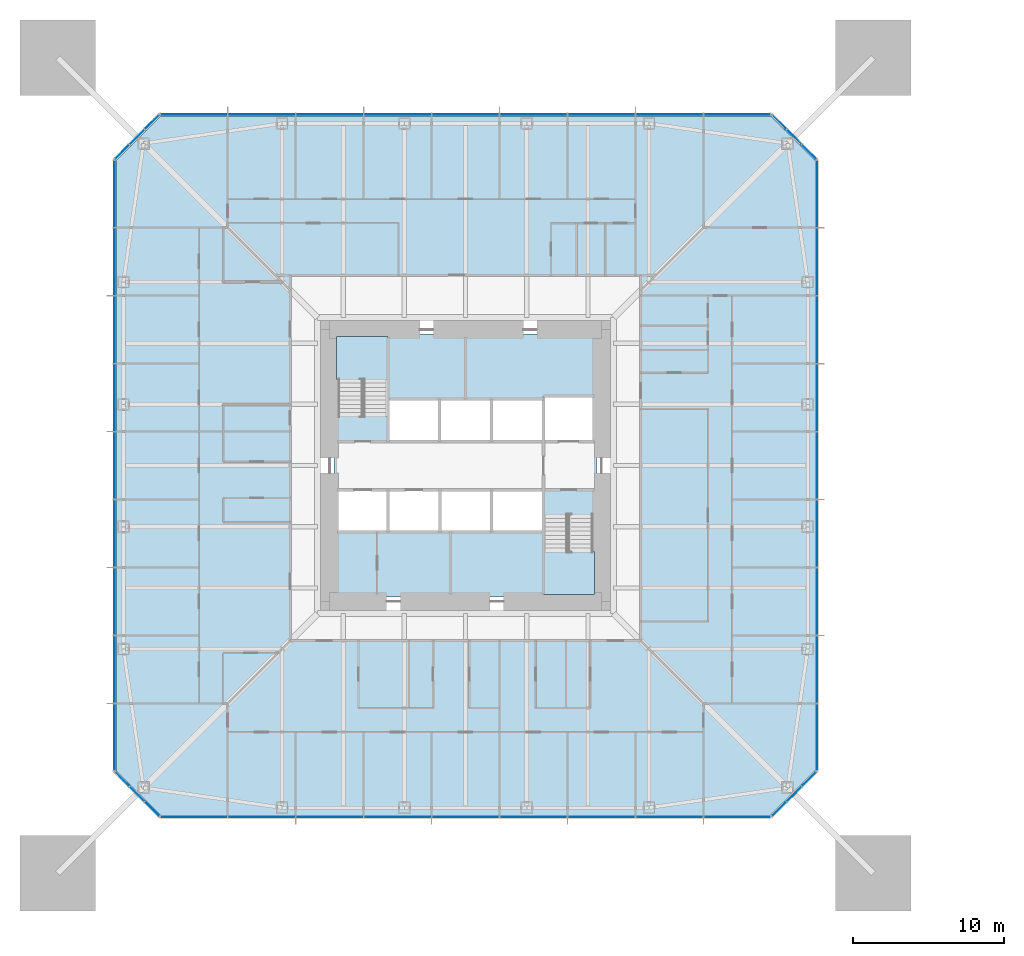
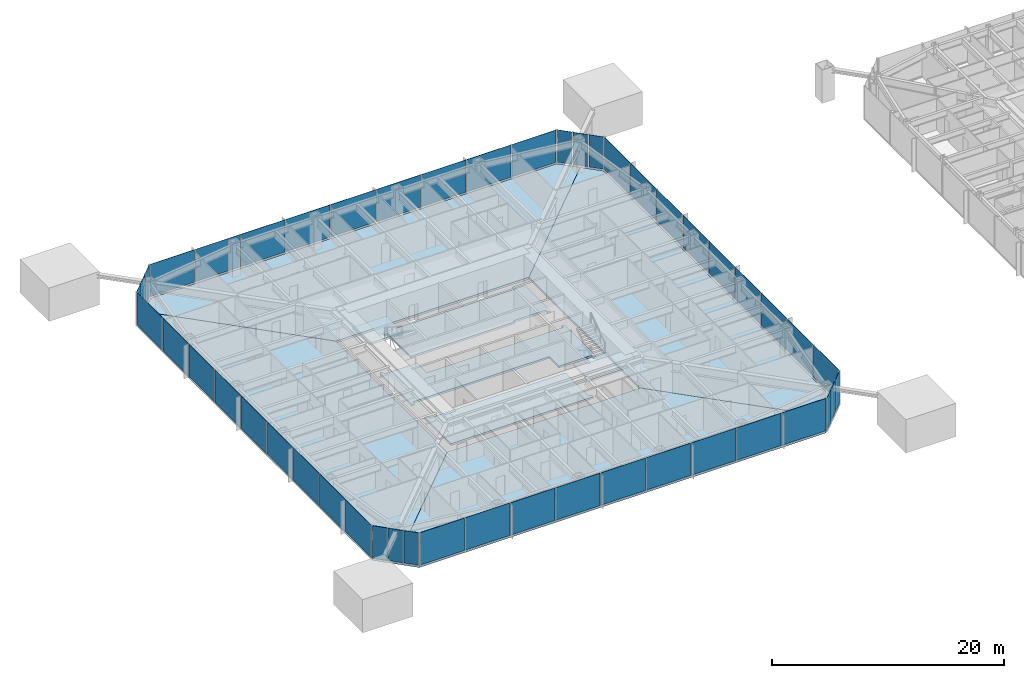
# One storey, part 12 of 26: 48 plates, 9 slabs, 10 elements without a shape of their own.
"""IFC4 building model written with IfcOpenShell, lengths in metres."""

from ifc_helpers import new_model, si_unit, direction, frame, origin, origin_2d, place, context, subcontext, project, spatial, polyline, rectangle, outline, extrude, material, layer, layer_set, constituent, constituent_set, type_object, element, aggregate, save


model = new_model("IFC4")

# Units and contexts
model_context = context("Model", 3, precision=1e-05, world=origin(), true_north=direction((0.0, 1.0)))
body_context = subcontext(model_context, "Body", "Model", "MODEL_VIEW")
ifc_project = project(units=[si_unit("LENGTHUNIT", "METRE"), si_unit("AREAUNIT", "SQUARE_METRE"), si_unit("VOLUMEUNIT", "CUBIC_METRE"), si_unit("PLANEANGLEUNIT", "RADIAN"), si_unit("MASSUNIT", "GRAM", prefix="KILO")], contexts=[model_context])

# Site, building, storey
site_placement = place(None, origin())
site = spatial("IfcSite", under=ifc_project, at=site_placement, CompositionType="ELEMENT")
building_placement = place(site_placement, origin())
building = spatial("IfcBuilding", under=site, at=building_placement, Name="Iwan Alto Co-Living Towers", CompositionType="ELEMENT")
storey_placement = place(building_placement, frame((0.0, 0.0, 57.0)))
storey = spatial("IfcBuildingStorey", under=building, at=storey_placement, Name="L15", CompositionType="ELEMENT", Elevation=57.0)

# Slabs
ifc_material_1 = material(Name="Concrete f'c 30 MPa", Category="concrete")
ifc_layer_1 = layer(ifc_material_1, 0.199951171875)
ifc_layer_set_1 = layer_set([ifc_layer_1], Name="CORE FLOOR SLAB 200")
slab_type_1 = type_object("IfcSlabType", Name="CORE FLOOR SLAB 200", PredefinedType="FLOOR", material=ifc_layer_set_1)
slab_1_placement = place(storey_placement, frame((0.0, 0.0, -0.199951171875)))
element("IfcSlab", 1, at=slab_1_placement, inside=storey, type_object=slab_type_1, Name="T1 core floor L15", PredefinedType="FLOOR", context=body_context, shape_type="SweptSolid", body=[
    extrude(outline(polyline([(8.699951171875, -3.580078125), (8.39990234375, -3.580078125), (8.39990234375, -3.27001953125), (5.14990234375, -3.27001953125), (5.14990234375, -1.60009765625), (1.72509765625, -1.60009765625), (-1.699951171875, -1.60009765625), (-5.125, -1.60009765625), (-8.39990234375, -1.60009765625), (-8.39990234375, -1.909912109375), (-8.699951171875, -1.909912109375), (-8.699951171875, 3.580078125), (-8.39990234375, 3.580078125), (-8.39990234375, 3.27001953125), (-5.14990234375, 3.27001953125), (-5.14990234375, 1.60009765625), (-1.717041015625, 1.60009765625), (1.717041015625, 1.60009765625), (5.14990234375, 1.60009765625), (8.39990234375, 1.60009765625), (8.39990234375, 1.909912109375), (8.699951171875, 1.909912109375), (8.699951171875, -3.580078125)])), origin(), (0.0, 0.0, 1.0), 0.199951171875),
])
slab_2_placement = place(storey_placement, frame((0.0, 0.0, -0.199951171875)))
element("IfcSlab", 2, at=slab_2_placement, inside=storey, type_object=slab_type_1, Name="T1 core floor L15", PredefinedType="FLOOR", context=body_context, shape_type="SweptSolid", body=[
    extrude(outline(polyline([(-1.699951171875, -4.39990234375), (1.72509765625, -4.39990234375), (5.14990234375, -4.39990234375), (5.14990234375, -8.39990234375), (5.4599609375, -8.39990234375), (5.4599609375, -8.699951171875), (-8.699951171875, -8.699951171875), (-8.699951171875, -4.090087890625), (-8.39990234375, -4.090087890625), (-8.39990234375, -4.39990234375), (-5.125, -4.39990234375), (-1.699951171875, -4.39990234375)])), origin(), (0.0, 0.0, 1.0), 0.199951171875),
])
slab_3_placement = place(storey_placement, frame((0.0, 0.0, -0.199951171875)))
element("IfcSlab", 3, at=slab_3_placement, inside=storey, type_object=slab_type_1, Name="T1 core floor L15", PredefinedType="FLOOR", context=body_context, shape_type="SweptSolid", body=[
    extrude(outline(polyline([(1.717041015625, 4.39990234375), (-1.717041015625, 4.39990234375), (-5.14990234375, 4.39990234375), (-5.14990234375, 8.39990234375), (-5.4599609375, 8.39990234375), (-5.4599609375, 8.699951171875), (8.699951171875, 8.699951171875), (8.699951171875, 4.2900390625), (8.39990234375, 4.2900390625), (8.39990234375, 4.60009765625), (5.14990234375, 4.60009765625), (5.14990234375, 4.39990234375), (1.717041015625, 4.39990234375)])), origin(), (0.0, 0.0, 1.0), 0.199951171875),
])

# Curtain wall, plates
ifc_material_2 = material(Name="Bronze aluminium unitised frame", Category="aluminium")
curtain_wall_type_1 = type_object("IfcCurtainWallType", Name="CURTAIN WALL CW-A", PredefinedType="NOTDEFINED", material=ifc_material_2)
curtain_wall_1_placement = place(storey_placement, origin())
curtain_wall_1 = element("IfcCurtainWall", 4, at=curtain_wall_1_placement, inside=storey, type_object=curtain_wall_type_1, Name="T1 curtain wall S L15", PredefinedType="NOTDEFINED")
ifc_material_3 = material(Name="Bronze-tinted insulating glass", Category="glass")
ifc_layer_2 = layer(ifc_material_3, 0.031982421875)
ifc_layer_set_2 = layer_set([ifc_layer_2], Name="CW-A PANEL TINTED IGU 32")
plate_type_1 = type_object("IfcPlateType", Name="CW-A PANEL TINTED IGU 32", PredefinedType="CURTAIN_PANEL", material=ifc_layer_set_2)
plate_1_placement = place(storey_placement, frame((-17.97998046875, -23.25, 0.10009765625), z_axis=(0.0, 0.0, 1.0), x_axis=(1.0, 0.0, 0.0)))
plate_1 = element("IfcPlate", 5, at=plate_1_placement, type_object=plate_type_1, Name="CW-A panel 1.1", PredefinedType="CURTAIN_PANEL", context=body_context, shape_type="SweptSolid", body=[
    extrude(rectangle(XDim=4.3798828125, YDim=0.031982421875, at=origin_2d()), origin(), (0.0, 0.0, 1.0), 3.39990234375),
])
plate_2_placement = place(storey_placement, frame((-13.5, -23.25, 0.10009765625), z_axis=(0.0, 0.0, 1.0), x_axis=(1.0, 0.0, 0.0)))
plate_2 = element("IfcPlate", 6, at=plate_2_placement, type_object=plate_type_1, Name="CW-A panel 2.1", PredefinedType="CURTAIN_PANEL", context=body_context, shape_type="SweptSolid", body=[
    extrude(rectangle(XDim=4.419921875, YDim=0.031982421875, at=origin_2d()), origin(), (0.0, 0.0, 1.0), 3.39990234375),
])
plate_3_placement = place(storey_placement, frame((-9.0, -23.25, 0.10009765625), z_axis=(0.0, 0.0, 1.0), x_axis=(1.0, 0.0, 0.0)))
plate_3 = element("IfcPlate", 7, at=plate_3_placement, type_object=plate_type_1, Name="CW-A panel 3.1", PredefinedType="CURTAIN_PANEL", context=body_context, shape_type="SweptSolid", body=[
    extrude(rectangle(XDim=4.419921875, YDim=0.031982421875, at=origin_2d()), origin(), (0.0, 0.0, 1.0), 3.39990234375),
])
plate_4_placement = place(storey_placement, frame((-4.5, -23.25, 0.10009765625), z_axis=(0.0, 0.0, 1.0), x_axis=(1.0, 0.0, 0.0)))
plate_4 = element("IfcPlate", 8, at=plate_4_placement, type_object=plate_type_1, Name="CW-A panel 4.1", PredefinedType="CURTAIN_PANEL", context=body_context, shape_type="SweptSolid", body=[
    extrude(rectangle(XDim=4.419921875, YDim=0.031982421875, at=origin_2d()), origin(), (0.0, 0.0, 1.0), 3.39990234375),
])
plate_5_placement = place(storey_placement, frame((0.0, -23.25, 0.10009765625), z_axis=(0.0, 0.0, 1.0), x_axis=(1.0, 0.0, 0.0)))
plate_5 = element("IfcPlate", 9, at=plate_5_placement, type_object=plate_type_1, Name="CW-A panel 5.1", PredefinedType="CURTAIN_PANEL", context=body_context, shape_type="SweptSolid", body=[
    extrude(rectangle(XDim=4.419921875, YDim=0.031982421875, at=origin_2d()), origin(), (0.0, 0.0, 1.0), 3.39990234375),
])
plate_6_placement = place(storey_placement, frame((4.5, -23.25, 0.10009765625), z_axis=(0.0, 0.0, 1.0), x_axis=(1.0, 0.0, 0.0)))
plate_6 = element("IfcPlate", 10, at=plate_6_placement, type_object=plate_type_1, Name="CW-A panel 6.1", PredefinedType="CURTAIN_PANEL", context=body_context, shape_type="SweptSolid", body=[
    extrude(rectangle(XDim=4.419921875, YDim=0.031982421875, at=origin_2d()), origin(), (0.0, 0.0, 1.0), 3.39990234375),
])
plate_7_placement = place(storey_placement, frame((9.0, -23.25, 0.10009765625), z_axis=(0.0, 0.0, 1.0), x_axis=(1.0, 0.0, 0.0)))
plate_7 = element("IfcPlate", 11, at=plate_7_placement, type_object=plate_type_1, Name="CW-A panel 7.1", PredefinedType="CURTAIN_PANEL", context=body_context, shape_type="SweptSolid", body=[
    extrude(rectangle(XDim=4.419921875, YDim=0.031982421875, at=origin_2d()), origin(), (0.0, 0.0, 1.0), 3.39990234375),
])
plate_8_placement = place(storey_placement, frame((13.5, -23.25, 0.10009765625), z_axis=(0.0, 0.0, 1.0), x_axis=(1.0, 0.0, 0.0)))
plate_8 = element("IfcPlate", 12, at=plate_8_placement, type_object=plate_type_1, Name="CW-A panel 8.1", PredefinedType="CURTAIN_PANEL", context=body_context, shape_type="SweptSolid", body=[
    extrude(rectangle(XDim=4.419921875, YDim=0.031982421875, at=origin_2d()), origin(), (0.0, 0.0, 1.0), 3.39990234375),
])
plate_9_placement = place(storey_placement, frame((17.97998046875, -23.25, 0.10009765625), z_axis=(0.0, 0.0, 1.0), x_axis=(1.0, 0.0, 0.0)))
plate_9 = element("IfcPlate", 13, at=plate_9_placement, type_object=plate_type_1, Name="CW-A panel 9.1", PredefinedType="CURTAIN_PANEL", context=body_context, shape_type="SweptSolid", body=[
    extrude(rectangle(XDim=4.3798828125, YDim=0.031982421875, at=origin_2d()), origin(), (0.0, 0.0, 1.0), 3.39990234375),
])
aggregate(curtain_wall_1, [plate_1, plate_2, plate_3, plate_4, plate_5, plate_6, plate_7, plate_8, plate_9])

curtain_wall_2_placement = place(storey_placement, origin())
curtain_wall_2 = element("IfcCurtainWall", 14, at=curtain_wall_2_placement, inside=storey, type_object=curtain_wall_type_1, Name="T1 curtain wall E L15", PredefinedType="NOTDEFINED")
plate_10_placement = place(storey_placement, frame((23.25, -17.97998046875, 0.10009765625), z_axis=(0.0, 0.0, 1.0), x_axis=(0.0, 1.0, 0.0)))
plate_10 = element("IfcPlate", 15, at=plate_10_placement, type_object=plate_type_1, Name="CW-A panel 1.1", PredefinedType="CURTAIN_PANEL", context=body_context, shape_type="SweptSolid", body=[
    extrude(rectangle(XDim=4.3798828125, YDim=0.031982421875, at=origin_2d()), origin(), (0.0, 0.0, 1.0), 3.39990234375),
])
plate_11_placement = place(storey_placement, frame((23.25, -13.5, 0.10009765625), z_axis=(0.0, 0.0, 1.0), x_axis=(0.0, 1.0, 0.0)))
plate_11 = element("IfcPlate", 16, at=plate_11_placement, type_object=plate_type_1, Name="CW-A panel 2.1", PredefinedType="CURTAIN_PANEL", context=body_context, shape_type="SweptSolid", body=[
    extrude(rectangle(XDim=4.419921875, YDim=0.031982421875, at=origin_2d()), origin(), (0.0, 0.0, 1.0), 3.39990234375),
])
plate_12_placement = place(storey_placement, frame((23.25, -9.0, 0.10009765625), z_axis=(0.0, 0.0, 1.0), x_axis=(0.0, 1.0, 0.0)))
plate_12 = element("IfcPlate", 17, at=plate_12_placement, type_object=plate_type_1, Name="CW-A panel 3.1", PredefinedType="CURTAIN_PANEL", context=body_context, shape_type="SweptSolid", body=[
    extrude(rectangle(XDim=4.419921875, YDim=0.031982421875, at=origin_2d()), origin(), (0.0, 0.0, 1.0), 3.39990234375),
])
plate_13_placement = place(storey_placement, frame((23.25, -4.5, 0.10009765625), z_axis=(0.0, 0.0, 1.0), x_axis=(0.0, 1.0, 0.0)))
plate_13 = element("IfcPlate", 18, at=plate_13_placement, type_object=plate_type_1, Name="CW-A panel 4.1", PredefinedType="CURTAIN_PANEL", context=body_context, shape_type="SweptSolid", body=[
    extrude(rectangle(XDim=4.419921875, YDim=0.031982421875, at=origin_2d()), origin(), (0.0, 0.0, 1.0), 3.39990234375),
])
plate_14_placement = place(storey_placement, frame((23.25, 0.0, 0.10009765625), z_axis=(0.0, 0.0, 1.0), x_axis=(0.0, 1.0, 0.0)))
plate_14 = element("IfcPlate", 19, at=plate_14_placement, type_object=plate_type_1, Name="CW-A panel 5.1", PredefinedType="CURTAIN_PANEL", context=body_context, shape_type="SweptSolid", body=[
    extrude(rectangle(XDim=4.419921875, YDim=0.031982421875, at=origin_2d()), origin(), (0.0, 0.0, 1.0), 3.39990234375),
])
plate_15_placement = place(storey_placement, frame((23.25, 4.5, 0.10009765625), z_axis=(0.0, 0.0, 1.0), x_axis=(0.0, 1.0, 0.0)))
plate_15 = element("IfcPlate", 20, at=plate_15_placement, type_object=plate_type_1, Name="CW-A panel 6.1", PredefinedType="CURTAIN_PANEL", context=body_context, shape_type="SweptSolid", body=[
    extrude(rectangle(XDim=4.419921875, YDim=0.031982421875, at=origin_2d()), origin(), (0.0, 0.0, 1.0), 3.39990234375),
])
plate_16_placement = place(storey_placement, frame((23.25, 9.0, 0.10009765625), z_axis=(0.0, 0.0, 1.0), x_axis=(0.0, 1.0, 0.0)))
plate_16 = element("IfcPlate", 21, at=plate_16_placement, type_object=plate_type_1, Name="CW-A panel 7.1", PredefinedType="CURTAIN_PANEL", context=body_context, shape_type="SweptSolid", body=[
    extrude(rectangle(XDim=4.419921875, YDim=0.031982421875, at=origin_2d()), origin(), (0.0, 0.0, 1.0), 3.39990234375),
])
plate_17_placement = place(storey_placement, frame((23.25, 13.5, 0.10009765625), z_axis=(0.0, 0.0, 1.0), x_axis=(0.0, 1.0, 0.0)))
plate_17 = element("IfcPlate", 22, at=plate_17_placement, type_object=plate_type_1, Name="CW-A panel 8.1", PredefinedType="CURTAIN_PANEL", context=body_context, shape_type="SweptSolid", body=[
    extrude(rectangle(XDim=4.419921875, YDim=0.031982421875, at=origin_2d()), origin(), (0.0, 0.0, 1.0), 3.39990234375),
])
plate_18_placement = place(storey_placement, frame((23.25, 17.97998046875, 0.10009765625), z_axis=(0.0, 0.0, 1.0), x_axis=(0.0, 1.0, 0.0)))
plate_18 = element("IfcPlate", 23, at=plate_18_placement, type_object=plate_type_1, Name="CW-A panel 9.1", PredefinedType="CURTAIN_PANEL", context=body_context, shape_type="SweptSolid", body=[
    extrude(rectangle(XDim=4.3798828125, YDim=0.031982421875, at=origin_2d()), origin(), (0.0, 0.0, 1.0), 3.39990234375),
])
aggregate(curtain_wall_2, [plate_10, plate_11, plate_12, plate_13, plate_14, plate_15, plate_16, plate_17, plate_18])

curtain_wall_3_placement = place(storey_placement, origin())
curtain_wall_3 = element("IfcCurtainWall", 24, at=curtain_wall_3_placement, inside=storey, type_object=curtain_wall_type_1, Name="T1 curtain wall N L15", PredefinedType="NOTDEFINED")
plate_19_placement = place(storey_placement, frame((17.97998046875, 23.25, 0.10009765625), z_axis=(0.0, 0.0, 1.0), x_axis=(-1.0, 0.0, 0.0)))
plate_19 = element("IfcPlate", 25, at=plate_19_placement, type_object=plate_type_1, Name="CW-A panel 1.1", PredefinedType="CURTAIN_PANEL", context=body_context, shape_type="SweptSolid", body=[
    extrude(rectangle(XDim=4.3798828125, YDim=0.031982421875, at=origin_2d()), origin(), (0.0, 0.0, 1.0), 3.39990234375),
])
plate_20_placement = place(storey_placement, frame((13.5, 23.25, 0.10009765625), z_axis=(0.0, 0.0, 1.0), x_axis=(-1.0, 0.0, 0.0)))
plate_20 = element("IfcPlate", 26, at=plate_20_placement, type_object=plate_type_1, Name="CW-A panel 2.1", PredefinedType="CURTAIN_PANEL", context=body_context, shape_type="SweptSolid", body=[
    extrude(rectangle(XDim=4.419921875, YDim=0.031982421875, at=origin_2d()), origin(), (0.0, 0.0, 1.0), 3.39990234375),
])
plate_21_placement = place(storey_placement, frame((9.0, 23.25, 0.10009765625), z_axis=(0.0, 0.0, 1.0), x_axis=(-1.0, 0.0, 0.0)))
plate_21 = element("IfcPlate", 27, at=plate_21_placement, type_object=plate_type_1, Name="CW-A panel 3.1", PredefinedType="CURTAIN_PANEL", context=body_context, shape_type="SweptSolid", body=[
    extrude(rectangle(XDim=4.419921875, YDim=0.031982421875, at=origin_2d()), origin(), (0.0, 0.0, 1.0), 3.39990234375),
])
plate_22_placement = place(storey_placement, frame((4.5, 23.25, 0.10009765625), z_axis=(0.0, 0.0, 1.0), x_axis=(-1.0, 0.0, 0.0)))
plate_22 = element("IfcPlate", 28, at=plate_22_placement, type_object=plate_type_1, Name="CW-A panel 4.1", PredefinedType="CURTAIN_PANEL", context=body_context, shape_type="SweptSolid", body=[
    extrude(rectangle(XDim=4.419921875, YDim=0.031982421875, at=origin_2d()), origin(), (0.0, 0.0, 1.0), 3.39990234375),
])
plate_23_placement = place(storey_placement, frame((0.0, 23.25, 0.10009765625), z_axis=(0.0, 0.0, 1.0), x_axis=(-1.0, 0.0, 0.0)))
plate_23 = element("IfcPlate", 29, at=plate_23_placement, type_object=plate_type_1, Name="CW-A panel 5.1", PredefinedType="CURTAIN_PANEL", context=body_context, shape_type="SweptSolid", body=[
    extrude(rectangle(XDim=4.419921875, YDim=0.031982421875, at=origin_2d()), origin(), (0.0, 0.0, 1.0), 3.39990234375),
])
plate_24_placement = place(storey_placement, frame((-4.5, 23.25, 0.10009765625), z_axis=(0.0, 0.0, 1.0), x_axis=(-1.0, 0.0, 0.0)))
plate_24 = element("IfcPlate", 30, at=plate_24_placement, type_object=plate_type_1, Name="CW-A panel 6.1", PredefinedType="CURTAIN_PANEL", context=body_context, shape_type="SweptSolid", body=[
    extrude(rectangle(XDim=4.419921875, YDim=0.031982421875, at=origin_2d()), origin(), (0.0, 0.0, 1.0), 3.39990234375),
])
plate_25_placement = place(storey_placement, frame((-9.0, 23.25, 0.10009765625), z_axis=(0.0, 0.0, 1.0), x_axis=(-1.0, 0.0, 0.0)))
plate_25 = element("IfcPlate", 31, at=plate_25_placement, type_object=plate_type_1, Name="CW-A panel 7.1", PredefinedType="CURTAIN_PANEL", context=body_context, shape_type="SweptSolid", body=[
    extrude(rectangle(XDim=4.419921875, YDim=0.031982421875, at=origin_2d()), origin(), (0.0, 0.0, 1.0), 3.39990234375),
])
plate_26_placement = place(storey_placement, frame((-13.5, 23.25, 0.10009765625), z_axis=(0.0, 0.0, 1.0), x_axis=(-1.0, 0.0, 0.0)))
plate_26 = element("IfcPlate", 32, at=plate_26_placement, type_object=plate_type_1, Name="CW-A panel 8.1", PredefinedType="CURTAIN_PANEL", context=body_context, shape_type="SweptSolid", body=[
    extrude(rectangle(XDim=4.419921875, YDim=0.031982421875, at=origin_2d()), origin(), (0.0, 0.0, 1.0), 3.39990234375),
])
plate_27_placement = place(storey_placement, frame((-17.97998046875, 23.25, 0.10009765625), z_axis=(0.0, 0.0, 1.0), x_axis=(-1.0, 0.0, 0.0)))
plate_27 = element("IfcPlate", 33, at=plate_27_placement, type_object=plate_type_1, Name="CW-A panel 9.1", PredefinedType="CURTAIN_PANEL", context=body_context, shape_type="SweptSolid", body=[
    extrude(rectangle(XDim=4.3798828125, YDim=0.031982421875, at=origin_2d()), origin(), (0.0, 0.0, 1.0), 3.39990234375),
])
aggregate(curtain_wall_3, [plate_19, plate_20, plate_21, plate_22, plate_23, plate_24, plate_25, plate_26, plate_27])

curtain_wall_4_placement = place(storey_placement, origin())
curtain_wall_4 = element("IfcCurtainWall", 34, at=curtain_wall_4_placement, inside=storey, type_object=curtain_wall_type_1, Name="T1 curtain wall W L15", PredefinedType="NOTDEFINED")
plate_28_placement = place(storey_placement, frame((-23.25, 17.97998046875, 0.10009765625), z_axis=(0.0, 0.0, 1.0), x_axis=(0.0, -1.0, 0.0)))
plate_28 = element("IfcPlate", 35, at=plate_28_placement, type_object=plate_type_1, Name="CW-A panel 1.1", PredefinedType="CURTAIN_PANEL", context=body_context, shape_type="SweptSolid", body=[
    extrude(rectangle(XDim=4.3798828125, YDim=0.031982421875, at=origin_2d()), origin(), (0.0, 0.0, 1.0), 3.39990234375),
])
plate_29_placement = place(storey_placement, frame((-23.25, 13.5, 0.10009765625), z_axis=(0.0, 0.0, 1.0), x_axis=(0.0, -1.0, 0.0)))
plate_29 = element("IfcPlate", 36, at=plate_29_placement, type_object=plate_type_1, Name="CW-A panel 2.1", PredefinedType="CURTAIN_PANEL", context=body_context, shape_type="SweptSolid", body=[
    extrude(rectangle(XDim=4.419921875, YDim=0.031982421875, at=origin_2d()), origin(), (0.0, 0.0, 1.0), 3.39990234375),
])
plate_30_placement = place(storey_placement, frame((-23.25, 9.0, 0.10009765625), z_axis=(0.0, 0.0, 1.0), x_axis=(0.0, -1.0, 0.0)))
plate_30 = element("IfcPlate", 37, at=plate_30_placement, type_object=plate_type_1, Name="CW-A panel 3.1", PredefinedType="CURTAIN_PANEL", context=body_context, shape_type="SweptSolid", body=[
    extrude(rectangle(XDim=4.419921875, YDim=0.031982421875, at=origin_2d()), origin(), (0.0, 0.0, 1.0), 3.39990234375),
])
plate_31_placement = place(storey_placement, frame((-23.25, 4.5, 0.10009765625), z_axis=(0.0, 0.0, 1.0), x_axis=(0.0, -1.0, 0.0)))
plate_31 = element("IfcPlate", 38, at=plate_31_placement, type_object=plate_type_1, Name="CW-A panel 4.1", PredefinedType="CURTAIN_PANEL", context=body_context, shape_type="SweptSolid", body=[
    extrude(rectangle(XDim=4.419921875, YDim=0.031982421875, at=origin_2d()), origin(), (0.0, 0.0, 1.0), 3.39990234375),
])
plate_32_placement = place(storey_placement, frame((-23.25, 0.0, 0.10009765625), z_axis=(0.0, 0.0, 1.0), x_axis=(0.0, -1.0, 0.0)))
plate_32 = element("IfcPlate", 39, at=plate_32_placement, type_object=plate_type_1, Name="CW-A panel 5.1", PredefinedType="CURTAIN_PANEL", context=body_context, shape_type="SweptSolid", body=[
    extrude(rectangle(XDim=4.419921875, YDim=0.031982421875, at=origin_2d()), origin(), (0.0, 0.0, 1.0), 3.39990234375),
])
plate_33_placement = place(storey_placement, frame((-23.25, -4.5, 0.10009765625), z_axis=(0.0, 0.0, 1.0), x_axis=(0.0, -1.0, 0.0)))
plate_33 = element("IfcPlate", 40, at=plate_33_placement, type_object=plate_type_1, Name="CW-A panel 6.1", PredefinedType="CURTAIN_PANEL", context=body_context, shape_type="SweptSolid", body=[
    extrude(rectangle(XDim=4.419921875, YDim=0.031982421875, at=origin_2d()), origin(), (0.0, 0.0, 1.0), 3.39990234375),
])
plate_34_placement = place(storey_placement, frame((-23.25, -9.0, 0.10009765625), z_axis=(0.0, 0.0, 1.0), x_axis=(0.0, -1.0, 0.0)))
plate_34 = element("IfcPlate", 41, at=plate_34_placement, type_object=plate_type_1, Name="CW-A panel 7.1", PredefinedType="CURTAIN_PANEL", context=body_context, shape_type="SweptSolid", body=[
    extrude(rectangle(XDim=4.419921875, YDim=0.031982421875, at=origin_2d()), origin(), (0.0, 0.0, 1.0), 3.39990234375),
])
plate_35_placement = place(storey_placement, frame((-23.25, -13.5, 0.10009765625), z_axis=(0.0, 0.0, 1.0), x_axis=(0.0, -1.0, 0.0)))
plate_35 = element("IfcPlate", 42, at=plate_35_placement, type_object=plate_type_1, Name="CW-A panel 8.1", PredefinedType="CURTAIN_PANEL", context=body_context, shape_type="SweptSolid", body=[
    extrude(rectangle(XDim=4.419921875, YDim=0.031982421875, at=origin_2d()), origin(), (0.0, 0.0, 1.0), 3.39990234375),
])
plate_36_placement = place(storey_placement, frame((-23.25, -17.97998046875, 0.10009765625), z_axis=(0.0, 0.0, 1.0), x_axis=(0.0, -1.0, 0.0)))
plate_36 = element("IfcPlate", 43, at=plate_36_placement, type_object=plate_type_1, Name="CW-A panel 9.1", PredefinedType="CURTAIN_PANEL", context=body_context, shape_type="SweptSolid", body=[
    extrude(rectangle(XDim=4.3798828125, YDim=0.031982421875, at=origin_2d()), origin(), (0.0, 0.0, 1.0), 3.39990234375),
])
aggregate(curtain_wall_4, [plate_28, plate_29, plate_30, plate_31, plate_32, plate_33, plate_34, plate_35, plate_36])

ifc_material_4 = material(Name="Bronze aluminium unitised frame", Category="aluminium")
curtain_wall_type_2 = type_object("IfcCurtainWallType", Name="CURTAIN WALL CW-B", PredefinedType="NOTDEFINED", material=ifc_material_4)
curtain_wall_5_placement = place(storey_placement, origin())
curtain_wall_5 = element("IfcCurtainWall", 44, at=curtain_wall_5_placement, inside=storey, type_object=curtain_wall_type_2, Name="T1 chamfer curtain wall SE L15", PredefinedType="NOTDEFINED")
ifc_material_5 = material(Name="Bronze-tinted insulating glass", Category="glass")
ifc_layer_3 = layer(ifc_material_5, 0.031982421875)
ifc_layer_set_3 = layer_set([ifc_layer_3], Name="CW-B PANEL TINTED IGU 32")
plate_type_2 = type_object("IfcPlateType", Name="CW-B PANEL TINTED IGU 32", PredefinedType="CURTAIN_PANEL", material=ifc_layer_set_3)
plate_37_placement = place(storey_placement, frame((20.76416015625, -22.73583984375, 0.10009765625), z_axis=(0.0, 0.0, 1.0), x_axis=(0.707106781187, 0.707106781187, 0.0)))
plate_37 = element("IfcPlate", 45, at=plate_37_placement, type_object=plate_type_2, Name="CW-B panel 1.1", PredefinedType="CURTAIN_PANEL", context=body_context, shape_type="SweptSolid", body=[
    extrude(rectangle(XDim=1.294189453125, YDim=0.031982421875, at=origin_2d()), origin(), (0.0, 0.0, 1.0), 3.39990234375),
])
plate_38_placement = place(storey_placement, frame((21.75, -21.75, 0.10009765625), z_axis=(0.0, 0.0, 1.0), x_axis=(0.707106781187, 0.707106781187, 0.0)))
plate_38 = element("IfcPlate", 46, at=plate_38_placement, type_object=plate_type_2, Name="CW-B panel 2.1", PredefinedType="CURTAIN_PANEL", context=body_context, shape_type="SweptSolid", body=[
    extrude(rectangle(XDim=1.334228515625, YDim=0.031982421875, at=origin_2d()), origin(), (0.0, 0.0, 1.0), 3.39990234375),
])
plate_39_placement = place(storey_placement, frame((22.73583984375, -20.76416015625, 0.10009765625), z_axis=(0.0, 0.0, 1.0), x_axis=(0.707106781187, 0.707106781187, 0.0)))
plate_39 = element("IfcPlate", 47, at=plate_39_placement, type_object=plate_type_2, Name="CW-B panel 3.1", PredefinedType="CURTAIN_PANEL", context=body_context, shape_type="SweptSolid", body=[
    extrude(rectangle(XDim=1.294189453125, YDim=0.031982421875, at=origin_2d()), origin(), (0.0, 0.0, 1.0), 3.39990234375),
])
aggregate(curtain_wall_5, [plate_37, plate_38, plate_39])

curtain_wall_6_placement = place(storey_placement, origin())
curtain_wall_6 = element("IfcCurtainWall", 48, at=curtain_wall_6_placement, inside=storey, type_object=curtain_wall_type_2, Name="T1 chamfer curtain wall NE L15", PredefinedType="NOTDEFINED")
plate_40_placement = place(storey_placement, frame((22.73583984375, 20.76416015625, 0.10009765625), z_axis=(0.0, 0.0, 1.0), x_axis=(-0.707106781187, 0.707106781187, 0.0)))
plate_40 = element("IfcPlate", 49, at=plate_40_placement, type_object=plate_type_2, Name="CW-B panel 1.1", PredefinedType="CURTAIN_PANEL", context=body_context, shape_type="SweptSolid", body=[
    extrude(rectangle(XDim=1.294189453125, YDim=0.031982421875, at=origin_2d()), origin(), (0.0, 0.0, 1.0), 3.39990234375),
])
plate_41_placement = place(storey_placement, frame((21.75, 21.75, 0.10009765625), z_axis=(0.0, 0.0, 1.0), x_axis=(-0.707106781187, 0.707106781187, 0.0)))
plate_41 = element("IfcPlate", 50, at=plate_41_placement, type_object=plate_type_2, Name="CW-B panel 2.1", PredefinedType="CURTAIN_PANEL", context=body_context, shape_type="SweptSolid", body=[
    extrude(rectangle(XDim=1.334228515625, YDim=0.031982421875, at=origin_2d()), origin(), (0.0, 0.0, 1.0), 3.39990234375),
])
plate_42_placement = place(storey_placement, frame((20.76416015625, 22.73583984375, 0.10009765625), z_axis=(0.0, 0.0, 1.0), x_axis=(-0.707106781187, 0.707106781187, 0.0)))
plate_42 = element("IfcPlate", 51, at=plate_42_placement, type_object=plate_type_2, Name="CW-B panel 3.1", PredefinedType="CURTAIN_PANEL", context=body_context, shape_type="SweptSolid", body=[
    extrude(rectangle(XDim=1.294189453125, YDim=0.031982421875, at=origin_2d()), origin(), (0.0, 0.0, 1.0), 3.39990234375),
])
aggregate(curtain_wall_6, [plate_40, plate_41, plate_42])

curtain_wall_7_placement = place(storey_placement, origin())
curtain_wall_7 = element("IfcCurtainWall", 52, at=curtain_wall_7_placement, inside=storey, type_object=curtain_wall_type_2, Name="T1 chamfer curtain wall NW L15", PredefinedType="NOTDEFINED")
plate_43_placement = place(storey_placement, frame((-20.76416015625, 22.73583984375, 0.10009765625), z_axis=(0.0, 0.0, 1.0), x_axis=(-0.707106781187, -0.707106781187, 0.0)))
plate_43 = element("IfcPlate", 53, at=plate_43_placement, type_object=plate_type_2, Name="CW-B panel 1.1", PredefinedType="CURTAIN_PANEL", context=body_context, shape_type="SweptSolid", body=[
    extrude(rectangle(XDim=1.294189453125, YDim=0.031982421875, at=origin_2d()), origin(), (0.0, 0.0, 1.0), 3.39990234375),
])
plate_44_placement = place(storey_placement, frame((-21.75, 21.75, 0.10009765625), z_axis=(0.0, 0.0, 1.0), x_axis=(-0.707106781187, -0.707106781187, 0.0)))
plate_44 = element("IfcPlate", 54, at=plate_44_placement, type_object=plate_type_2, Name="CW-B panel 2.1", PredefinedType="CURTAIN_PANEL", context=body_context, shape_type="SweptSolid", body=[
    extrude(rectangle(XDim=1.334228515625, YDim=0.031982421875, at=origin_2d()), origin(), (0.0, 0.0, 1.0), 3.39990234375),
])
plate_45_placement = place(storey_placement, frame((-22.73583984375, 20.76416015625, 0.10009765625), z_axis=(0.0, 0.0, 1.0), x_axis=(-0.707106781187, -0.707106781187, 0.0)))
plate_45 = element("IfcPlate", 55, at=plate_45_placement, type_object=plate_type_2, Name="CW-B panel 3.1", PredefinedType="CURTAIN_PANEL", context=body_context, shape_type="SweptSolid", body=[
    extrude(rectangle(XDim=1.294189453125, YDim=0.031982421875, at=origin_2d()), origin(), (0.0, 0.0, 1.0), 3.39990234375),
])
aggregate(curtain_wall_7, [plate_43, plate_44, plate_45])

curtain_wall_8_placement = place(storey_placement, origin())
curtain_wall_8 = element("IfcCurtainWall", 56, at=curtain_wall_8_placement, inside=storey, type_object=curtain_wall_type_2, Name="T1 chamfer curtain wall SW L15", PredefinedType="NOTDEFINED")
plate_46_placement = place(storey_placement, frame((-22.73583984375, -20.76416015625, 0.10009765625), z_axis=(0.0, 0.0, 1.0), x_axis=(0.707106781187, -0.707106781187, 0.0)))
plate_46 = element("IfcPlate", 57, at=plate_46_placement, type_object=plate_type_2, Name="CW-B panel 1.1", PredefinedType="CURTAIN_PANEL", context=body_context, shape_type="SweptSolid", body=[
    extrude(rectangle(XDim=1.294189453125, YDim=0.031982421875, at=origin_2d()), origin(), (0.0, 0.0, 1.0), 3.39990234375),
])
plate_47_placement = place(storey_placement, frame((-21.75, -21.75, 0.10009765625), z_axis=(0.0, 0.0, 1.0), x_axis=(0.707106781187, -0.707106781187, 0.0)))
plate_47 = element("IfcPlate", 58, at=plate_47_placement, type_object=plate_type_2, Name="CW-B panel 2.1", PredefinedType="CURTAIN_PANEL", context=body_context, shape_type="SweptSolid", body=[
    extrude(rectangle(XDim=1.334228515625, YDim=0.031982421875, at=origin_2d()), origin(), (0.0, 0.0, 1.0), 3.39990234375),
])
plate_48_placement = place(storey_placement, frame((-20.76416015625, -22.73583984375, 0.10009765625), z_axis=(0.0, 0.0, 1.0), x_axis=(0.707106781187, -0.707106781187, 0.0)))
plate_48 = element("IfcPlate", 59, at=plate_48_placement, type_object=plate_type_2, Name="CW-B panel 3.1", PredefinedType="CURTAIN_PANEL", context=body_context, shape_type="SweptSolid", body=[
    extrude(rectangle(XDim=1.294189453125, YDim=0.031982421875, at=origin_2d()), origin(), (0.0, 0.0, 1.0), 3.39990234375),
])
aggregate(curtain_wall_8, [plate_46, plate_47, plate_48])

# Stair, slab
ifc_material_6 = material(Name="Steel ASTM A36", Category="steel")
ifc_constituent_1 = constituent(ifc_material_6, Name="Stringers", Category="LoadBearing")
ifc_material_7 = material(Name="Concrete f'c 30 MPa", Category="concrete")
ifc_constituent_2 = constituent(ifc_material_7, Name="Tread fill", Category="Finish")
ifc_constituent_set = constituent_set(constituents=[ifc_constituent_1, ifc_constituent_2], Name="STAIR 3500 TWO-FLIGHT T1 CORE")
stair_type = type_object("IfcStairType", Name="STAIR 3500 TWO-FLIGHT T1 CORE", PredefinedType="HALF_TURN_STAIR", material=ifc_constituent_set)
stair_1_placement = place(storey_placement, origin())
stair_1 = element("IfcStair", 60, at=stair_1_placement, inside=storey, type_object=stair_type, Name="Stair T1-S1 L15 to L16", PredefinedType="HALF_TURN_STAIR")
ifc_material_8 = material(Name="Concrete f'c 30 MPa", Category="concrete")
ifc_layer_4 = layer(ifc_material_8, 0.199951171875)
ifc_layer_set_4 = layer_set([ifc_layer_4], Name="STAIR LANDING 200")
slab_type_2 = type_object("IfcSlabType", Name="STAIR LANDING 200", PredefinedType="LANDING", material=ifc_layer_set_4)
slab_4_placement = place(storey_placement, frame((0.0, 0.0, 1.550048828125)))
slab_4 = element("IfcSlab", 61, at=slab_4_placement, type_object=slab_type_2, Name="T1-S1 landing 1", PredefinedType="LANDING", context=body_context, shape_type="SweptSolid", body=[
    extrude(outline(polyline([(-8.550048828125, 5.68994140625), (-8.550048828125, 8.550048828125), (-5.14990234375, 8.550048828125), (-5.14990234375, 5.68994140625), (-8.550048828125, 5.68994140625)])), origin(), (0.0, 0.0, 1.0), 0.199951171875),
])
aggregate(stair_1, [slab_4])

stair_2_placement = place(storey_placement, origin())
stair_2 = element("IfcStair", 62, at=stair_2_placement, inside=storey, type_object=stair_type, Name="Stair T1-S2 L15 to L16", PredefinedType="HALF_TURN_STAIR")
slab_5_placement = place(storey_placement, frame((0.0, 0.0, 1.550048828125)))
slab_5 = element("IfcSlab", 63, at=slab_5_placement, type_object=slab_type_2, Name="T1-S2 landing 1", PredefinedType="LANDING", context=body_context, shape_type="SweptSolid", body=[
    extrude(outline(polyline([(5.14990234375, -5.68994140625), (5.14990234375, -8.550048828125), (8.550048828125, -8.550048828125), (8.550048828125, -5.68994140625), (5.14990234375, -5.68994140625)])), origin(), (0.0, 0.0, 1.0), 0.199951171875),
])
aggregate(stair_2, [slab_5])

# Slabs
ifc_material_9 = material(Name="Concrete f'c 30 MPa", Category="concrete")
ifc_layer_5 = layer(ifc_material_9, 0.22998046875)
ifc_layer_set_5 = layer_set([ifc_layer_5], Name="T1 FLOOR SLAB 230")
slab_type_3 = type_object("IfcSlabType", Name="T1 FLOOR SLAB 230", PredefinedType="FLOOR", material=ifc_layer_set_5)
slab_6_placement = place(storey_placement, frame((0.0, 0.0, -0.22998046875)))
element("IfcSlab", 64, at=slab_6_placement, inside=storey, type_object=slab_type_3, Name="T1 floor slab L15 S pour", PredefinedType="FLOOR", context=body_context, shape_type="SweptSolid", body=[
    extrude(outline(polyline([(20.19140625, -23.14990234375), (-20.19140625, -23.14990234375), (-21.670654296875, -21.670654296875), (-9.60009765625, -9.60009765625), (9.60009765625, -9.60009765625), (21.670654296875, -21.670654296875), (20.19140625, -23.14990234375)])), origin(), (0.0, 0.0, 1.0), 0.22998046875),
])
slab_7_placement = place(storey_placement, frame((0.0, 0.0, -0.22998046875)))
element("IfcSlab", 65, at=slab_7_placement, inside=storey, type_object=slab_type_3, Name="T1 floor slab L15 E pour", PredefinedType="FLOOR", context=body_context, shape_type="SweptSolid", body=[
    extrude(outline(polyline([(23.14990234375, 20.19140625), (23.14990234375, -20.19140625), (21.670654296875, -21.670654296875), (9.60009765625, -9.60009765625), (9.60009765625, 9.60009765625), (21.670654296875, 21.670654296875), (23.14990234375, 20.19140625)])), origin(), (0.0, 0.0, 1.0), 0.22998046875),
])
slab_8_placement = place(storey_placement, frame((0.0, 0.0, -0.22998046875)))
element("IfcSlab", 66, at=slab_8_placement, inside=storey, type_object=slab_type_3, Name="T1 floor slab L15 N pour", PredefinedType="FLOOR", context=body_context, shape_type="SweptSolid", body=[
    extrude(outline(polyline([(-20.19140625, 23.14990234375), (20.19140625, 23.14990234375), (21.670654296875, 21.670654296875), (9.60009765625, 9.60009765625), (-9.60009765625, 9.60009765625), (-21.670654296875, 21.670654296875), (-20.19140625, 23.14990234375)])), origin(), (0.0, 0.0, 1.0), 0.22998046875),
])
slab_9_placement = place(storey_placement, frame((0.0, 0.0, -0.22998046875)))
element("IfcSlab", 67, at=slab_9_placement, inside=storey, type_object=slab_type_3, Name="T1 floor slab L15 W pour", PredefinedType="FLOOR", context=body_context, shape_type="SweptSolid", body=[
    extrude(outline(polyline([(-23.14990234375, 20.19140625), (-21.670654296875, 21.670654296875), (-9.60009765625, 9.60009765625), (-9.60009765625, -9.60009765625), (-21.670654296875, -21.670654296875), (-23.14990234375, -20.19140625), (-23.14990234375, 20.19140625)])), origin(), (0.0, 0.0, 1.0), 0.22998046875),
])

save(model, "model.ifc")
